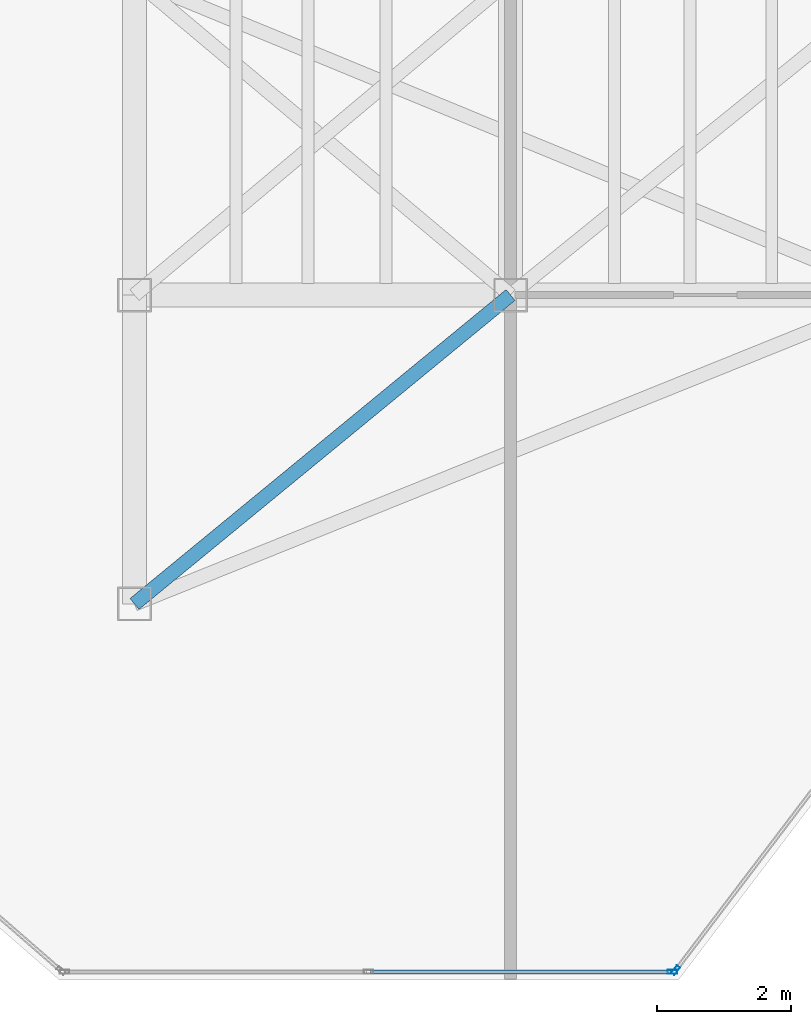
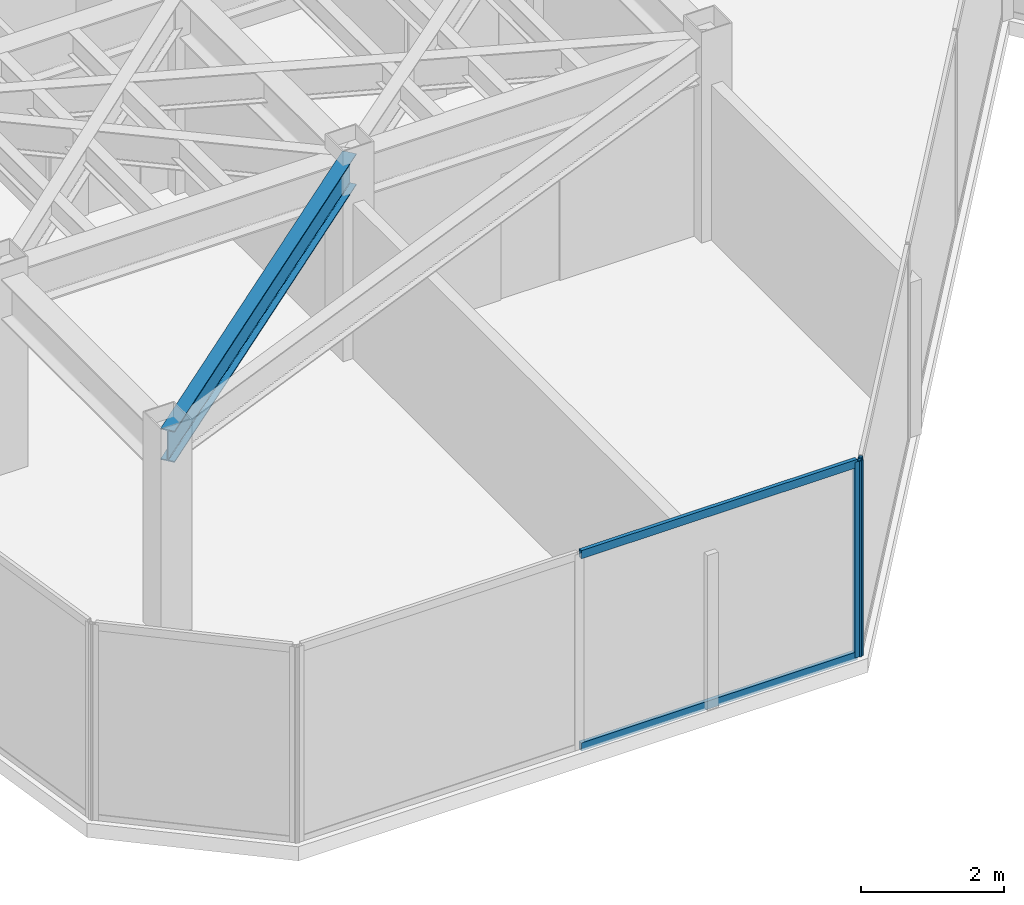
# One storey, part 3 of 20: 4 members, 1 beam, 2 elements without a shape of their own.
"""IFC4 building model written with IfcOpenShell, lengths in metres."""

from ifc_helpers import new_model, si_unit, direction, frame, origin, origin_2d, place, context, subcontext, project, spatial, hollow_rectangle, i_section, extrude, material, layer, layer_set, material_profile, profile_set, type_object, element, aggregate, save


model = new_model("IFC4")

# Units and contexts
model_context = context("Model", 3, precision=1e-05, world=origin(), true_north=direction((0.0, 1.0)))
body_context = subcontext(model_context, "Body", "Model", "MODEL_VIEW")
ifc_project = project(units=[si_unit("LENGTHUNIT", "METRE"), si_unit("AREAUNIT", "SQUARE_METRE"), si_unit("VOLUMEUNIT", "CUBIC_METRE"), si_unit("PLANEANGLEUNIT", "RADIAN"), si_unit("MASSUNIT", "GRAM", prefix="KILO")], contexts=[model_context])

# Site, building, storey
site_placement = place(None, origin())
site = spatial("IfcSite", under=ifc_project, at=site_placement, CompositionType="ELEMENT")
building_placement = place(site_placement, origin())
building = spatial("IfcBuilding", under=site, at=building_placement, Name="Kravanh Interchange Tower", CompositionType="ELEMENT")
storey_placement = place(building_placement, frame((0.0, 0.0, 241.800048828125)))
storey = spatial("IfcBuildingStorey", under=building, at=storey_placement, Name="L58", CompositionType="ELEMENT", Elevation=241.800048828125)

# Curtain wall, member
ifc_material_1 = material(Name="Anodised Bronze Aluminium", Category="aluminium")
ifc_layer = layer(ifc_material_1, 0.179931640625)
ifc_layer_set = layer_set([ifc_layer], Name="Unitised Curtain Wall System CW-HTL Luxury Hotel")
curtain_wall_type = type_object("IfcCurtainWallType", Name="Unitised Curtain Wall System CW-HTL Luxury Hotel", PredefinedType="NOTDEFINED", material=ifc_layer_set)
curtain_wall_1_placement = place(storey_placement, origin())
curtain_wall_1 = element("IfcCurtainWall", 1, at=curtain_wall_1_placement, inside=storey, type_object=curtain_wall_type, Name="L58 Unitised Curtain Wall CW-L58-05", PredefinedType="NOTDEFINED")
ifc_material_2 = material(Name="Anodised Bronze Aluminium", Category="aluminium")
ifc_material_profile_1 = material_profile(ifc_material_2, hollow_rectangle(XDim=0.06005859375, YDim=0.139892578125, WallThickness=0.00390625, at=origin_2d()), Name="ALU60X140X4")
ifc_profile_set_1 = profile_set([ifc_material_profile_1], Name="Anodised Bronze Aluminium")
member_type_1 = type_object("IfcMemberType", Name="Curtain Wall Mullion ALU60X140X4 Bronze", PredefinedType="MULLION", material=ifc_profile_set_1)
member_1_placement = place(storey_placement, frame((35.258544921875, 16.743896484375, 0.0), z_axis=(0.0, 0.0, 1.0), x_axis=(0.79616243806, -0.605082946564, 0.0)))
member_1 = element("IfcMember", 2, at=member_1_placement, type_object=member_type_1, Name="CW-HTL mullion 4", PredefinedType="MULLION", context=body_context, shape_type="SweptSolid", body=[
    extrude(hollow_rectangle(XDim=0.06005859375, YDim=0.139892578125, WallThickness=0.00390625, at=origin_2d()), origin(), (0.0, 0.0, 1.0), 3.349853515625),
])
aggregate(curtain_wall_1, [member_1])

# Curtain wall, members
curtain_wall_2_placement = place(storey_placement, origin())
curtain_wall_2 = element("IfcCurtainWall", 3, at=curtain_wall_2_placement, inside=storey, type_object=curtain_wall_type, Name="L58 Unitised Curtain Wall CW-L58-06", PredefinedType="NOTDEFINED")
member_2_placement = place(storey_placement, frame((35.21044921875, 16.719970703125, 0.0), z_axis=(0.0, 0.0, 1.0), x_axis=(0.0, -1.0, 0.0)))
member_2 = element("IfcMember", 4, at=member_2_placement, type_object=member_type_1, Name="CW-HTL mullion 1", PredefinedType="MULLION", context=body_context, shape_type="SweptSolid", body=[
    extrude(hollow_rectangle(XDim=0.06005859375, YDim=0.139892578125, WallThickness=0.00390625, at=origin_2d()), origin(), (0.0, 0.0, 1.0), 3.349853515625),
])
ifc_material_3 = material(Name="Anodised Bronze Aluminium", Category="aluminium")
ifc_material_profile_2 = material_profile(ifc_material_3, hollow_rectangle(XDim=0.06005859375, YDim=0.139892578125, WallThickness=0.00390625, at=origin_2d()), Name="ALU60X140X4")
ifc_profile_set_2 = profile_set([ifc_material_profile_2], Name="Anodised Bronze Aluminium")
member_type_2 = type_object("IfcMemberType", Name="Curtain Wall Transom ALU60X140X4 Bronze", PredefinedType="USERDEFINED", material=ifc_profile_set_2)
member_3_placement = place(storey_placement, frame((35.180419921875, 16.719970703125, 0.030029296875), z_axis=(-1.0, 0.0, 0.0), x_axis=(0.0, -1.0, 0.0)))
member_3 = element("IfcMember", 5, at=member_3_placement, type_object=member_type_2, Name="CW-HTL transom 1.1", ObjectType="TRANSOM", PredefinedType="USERDEFINED", context=body_context, shape_type="SweptSolid", body=[
    extrude(hollow_rectangle(XDim=0.06005859375, YDim=0.139892578125, WallThickness=0.00390625, at=origin_2d()), origin(), (0.0, 0.0, 1.0), 4.466064453125),
])
member_4_placement = place(storey_placement, frame((35.180419921875, 16.719970703125, 3.320068359375), z_axis=(-1.0, 0.0, 0.0), x_axis=(0.0, -1.0, 0.0)))
member_4 = element("IfcMember", 6, at=member_4_placement, type_object=member_type_2, Name="CW-HTL transom 1.2", ObjectType="TRANSOM", PredefinedType="USERDEFINED", context=body_context, shape_type="SweptSolid", body=[
    extrude(hollow_rectangle(XDim=0.06005859375, YDim=0.139892578125, WallThickness=0.00390625, at=origin_2d()), origin(), (0.0, 0.0, 1.0), 4.466064453125),
])
aggregate(curtain_wall_2, [member_2, member_3, member_4])

# Beam
ifc_material_4 = material(Name="Structural Steel S355", Category="steel")
ifc_material_profile_3 = material_profile(ifc_material_4, i_section(OverallWidth=0.2099609375, OverallDepth=0.537109375, WebThickness=0.010986328125, FlangeThickness=0.017333984375, FilletRadius=0.02001953125, at=origin_2d()), Name="W21X68")
ifc_profile_set_3 = profile_set([ifc_material_profile_3], Name="Structural Steel S355")
beam_type = type_object("IfcBeamType", Name="Floor Spandrel W21X68 Structural Steel S355", PredefinedType="SPANDREL", material=ifc_profile_set_3)
beam_placement = place(storey_placement, frame((27.199951171875, 22.199951171875, 3.08154296875), z_axis=(0.772725074305, 0.634740860147, 0.0), x_axis=(-0.634740860147, 0.772725074305, 0.0)))
element("IfcBeam", 7, at=beam_placement, inside=storey, type_object=beam_type, Name="L58 Perimeter Spandrel 41", PredefinedType="SPANDREL", context=body_context, shape_type="SweptSolid", body=[
    extrude(i_section(OverallWidth=0.2099609375, OverallDepth=0.537109375, WebThickness=0.010986328125, FlangeThickness=0.017333984375, FilletRadius=0.02001953125, at=origin_2d()), origin(), (0.0, 0.0, 1.0), 7.247314453125),
])

save(model, "model.ifc")
